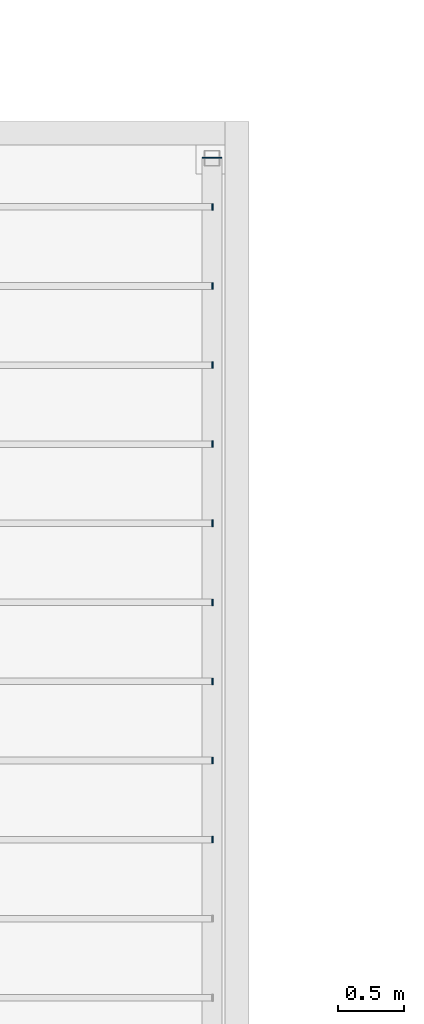
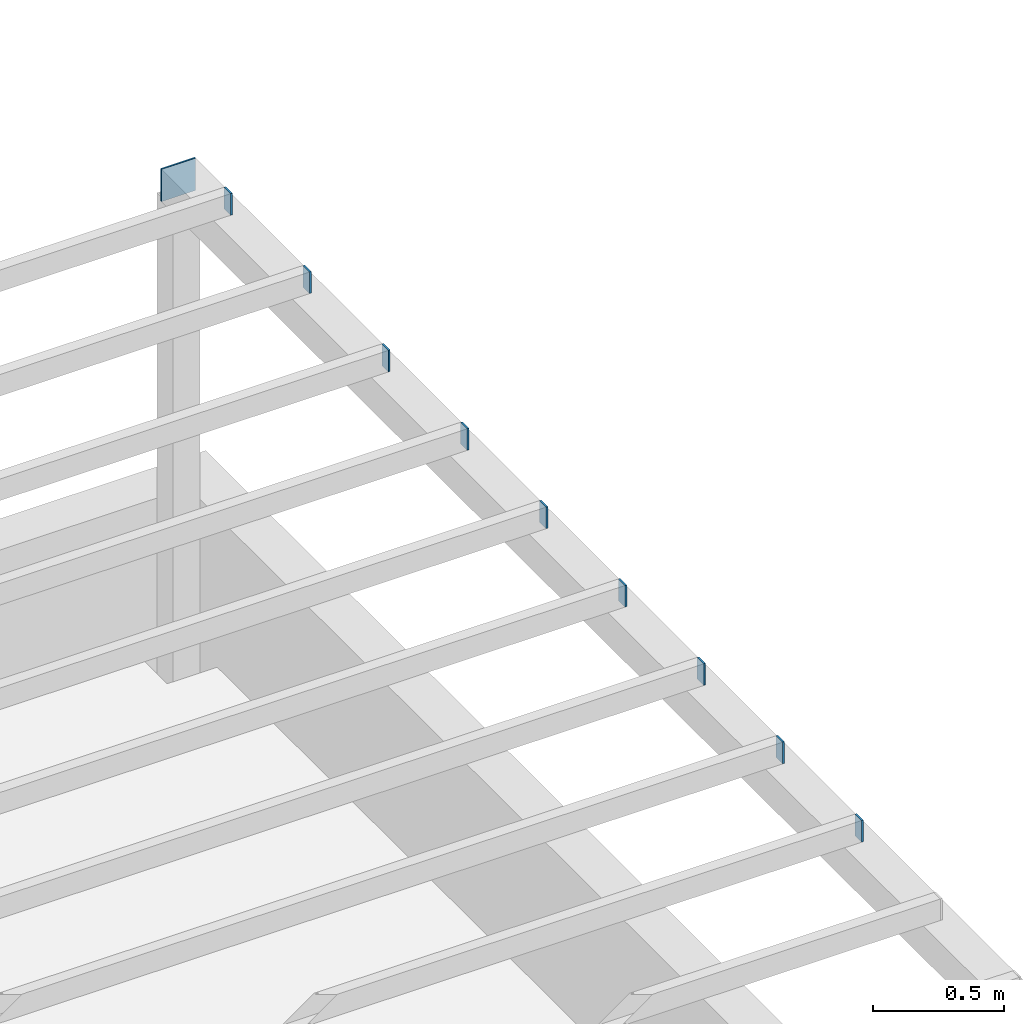
# One storey, part 48 of 51: 10 discrete accessories.
"""IFC4 building model written with IfcOpenShell, lengths in metres."""

from ifc_helpers import new_model, si_unit, direction, frame, origin, origin_2d, place, context, subcontext, project, spatial, rectangle, extrude, material, material_profile, profile_set, type_object, element, save


model = new_model("IFC4")

# Units and contexts
model_context = context("Model", 3, precision=1e-05, world=origin(), true_north=direction((0.0, 1.0)))
body_context = subcontext(model_context, "Body", "Model", "MODEL_VIEW")
ifc_project = project(units=[si_unit("LENGTHUNIT", "METRE"), si_unit("AREAUNIT", "SQUARE_METRE"), si_unit("VOLUMEUNIT", "CUBIC_METRE"), si_unit("PLANEANGLEUNIT", "RADIAN"), si_unit("MASSUNIT", "GRAM", prefix="KILO")], contexts=[model_context])

# Site, building, storey
site_placement = place(None, origin())
site = spatial("IfcSite", under=ifc_project, at=site_placement, CompositionType="ELEMENT")
building_placement = place(site_placement, origin())
building = spatial("IfcBuilding", under=site, at=building_placement, Name="Laocheng Heights Fire and Rescue Headquarters", CompositionType="ELEMENT")
storey_placement = place(building_placement, frame((0.0, 0.0, 21.0)))
storey = spatial("IfcBuildingStorey", under=building, at=storey_placement, Name="L05", CompositionType="ELEMENT", Elevation=21.0)

# Discrete accessories
ifc_material_1 = material(Name="Steel Q355B", Category="steel")
ifc_material_profile_1 = material_profile(ifc_material_1, rectangle(XDim=0.14990234375, YDim=0.14990234375, at=origin_2d()), Name="END CAP PLATE 150 x 150 x 8 FOR STEEL TRELLIS BEAM RHS 150x150x6")
ifc_profile_set_1 = profile_set([ifc_material_profile_1], Name="Steel Q355B")
discrete_accessory_type_1 = type_object("IfcDiscreteAccessoryType", Name="END CAP PLATE 150 x 150 x 8 FOR STEEL TRELLIS BEAM RHS 150x150x6", PredefinedType="BRACKET", material=ifc_profile_set_1)
discrete_accessory_placement = place(storey_placement, frame((107.719970703125, 57.320068359375, 2.625), z_axis=(0.0, 1.0, 0.0), x_axis=(-1.0, 0.0, 0.0)))
element("IfcDiscreteAccessory", 1, at=discrete_accessory_placement, inside=storey, type_object=discrete_accessory_type_1, Name="Cap plate at Trellis beam end 2", PredefinedType="BRACKET", context=body_context, shape_type="SweptSolid", body=[
    extrude(rectangle(XDim=0.14990234375, YDim=0.14990234375, at=origin_2d()), origin(), (0.0, 0.0, 1.0), 0.0078125),
])
ifc_material_2 = material(Name="Steel Q355B", Category="steel")
ifc_material_profile_2 = material_profile(ifc_material_2, rectangle(XDim=0.050048828125, YDim=0.10009765625, at=origin_2d()), Name="END CAP PLATE 50 x 100 x 8 FOR STEEL TRELLIS JOIST RHS 100x50x4")
ifc_profile_set_2 = profile_set([ifc_material_profile_2], Name="Steel Q355B")
discrete_accessory_type_2 = type_object("IfcDiscreteAccessoryType", Name="END CAP PLATE 50 x 100 x 8 FOR STEEL TRELLIS JOIST RHS 100x50x4", PredefinedType="BRACKET", material=ifc_profile_set_2)
for number, where, z_axis, x_axis, name in (
    (2, (107.719970703125, 56.35009765625, 2.75), (1.0, 0.0, 0.0), (0.0, 1.0, 0.0), "Cap plate at Trellis crew garden joist end 2"),
    (3, (107.719970703125, 56.949951171875, 2.75), (1.0, 0.0, 0.0), (0.0, 1.0, 0.0), "Cap plate at Trellis crew garden joist end 2"),
    (4, (107.719970703125, 52.14990234375, 2.75), (1.0, 0.0, 0.0), (0.0, 1.0, 0.0), "Cap plate at Trellis crew garden joist end 2"),
    (5, (107.719970703125, 52.75, 2.75), (1.0, 0.0, 0.0), (0.0, 1.0, 0.0), "Cap plate at Trellis crew garden joist end 2"),
    (6, (107.719970703125, 53.35009765625, 2.75), (1.0, 0.0, 0.0), (0.0, 1.0, 0.0), "Cap plate at Trellis crew garden joist end 2"),
    (7, (107.719970703125, 53.949951171875, 2.75), (1.0, 0.0, 0.0), (0.0, 1.0, 0.0), "Cap plate at Trellis crew garden joist end 2"),
    (8, (107.719970703125, 54.550048828125, 2.75), (1.0, 0.0, 0.0), (0.0, 1.0, 0.0), "Cap plate at Trellis crew garden joist end 2"),
    (9, (107.719970703125, 55.14990234375, 2.75), (1.0, 0.0, 0.0), (0.0, 1.0, 0.0), "Cap plate at Trellis crew garden joist end 2"),
    (10, (107.719970703125, 55.75, 2.75), (1.0, 0.0, 0.0), (0.0, 1.0, 0.0), "Cap plate at Trellis crew garden joist end 2"),
):
    element("IfcDiscreteAccessory", number, at=place(storey_placement, frame(where, z_axis=z_axis, x_axis=x_axis)), inside=storey, type_object=discrete_accessory_type_2, Name=name, PredefinedType="BRACKET", context=body_context, shape_type="SweptSolid", body=[
        extrude(rectangle(XDim=0.050048828125, YDim=0.10009765625, at=origin_2d()), origin(), (0.0, 0.0, 1.0), 0.008056640625),
    ])

save(model, "model.ifc")
